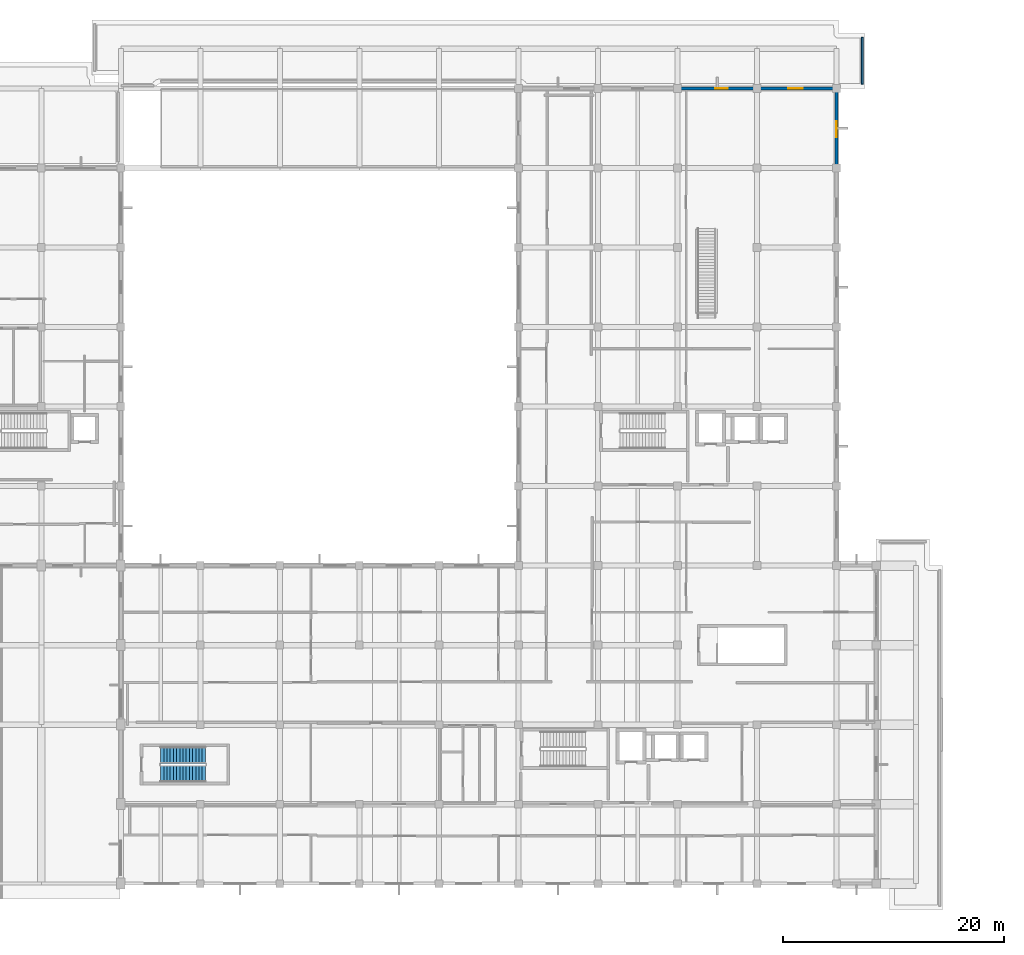
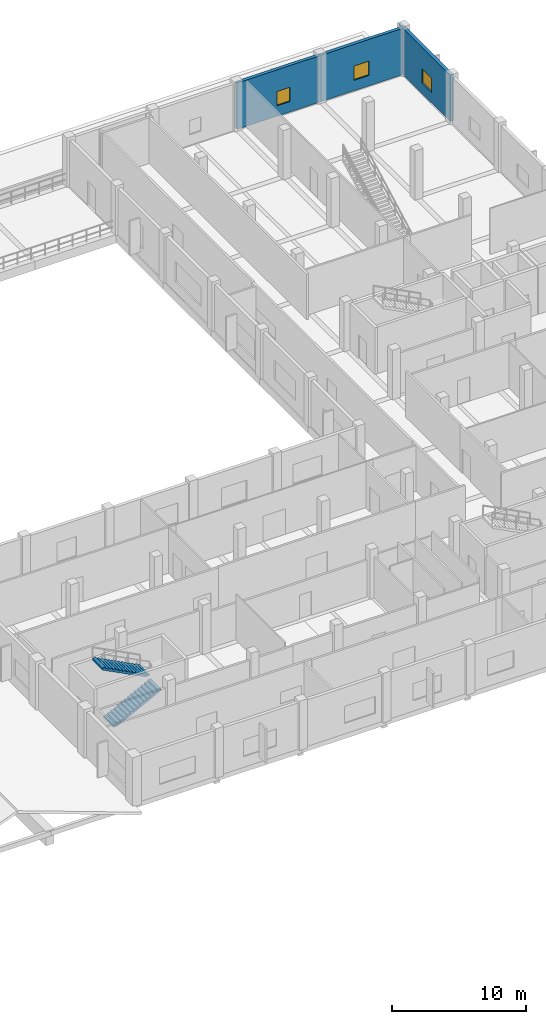
# One storey, part 17 of 24: 4 walls, 3 windows, 2 stair flights, 3 openings, 1 element without a shape of its own.
"""IFC4 building model written with IfcOpenShell, lengths in metres."""

from ifc_helpers import new_model, si_unit, direction, frame, frame_2d, origin, place, context, subcontext, project, spatial, polyline, rectangle, outline, extrude, material, layer, layer_set, type_object, element, fill, aggregate, save


model = new_model("IFC4")

# Units and contexts
model_context = context("Model", 3, precision=1e-05, world=origin(), true_north=direction((0.0, 1.0)))
body_context = subcontext(model_context, "Body", "Model", "MODEL_VIEW")
ifc_project = project(units=[si_unit("LENGTHUNIT", "METRE"), si_unit("AREAUNIT", "SQUARE_METRE"), si_unit("VOLUMEUNIT", "CUBIC_METRE"), si_unit("PLANEANGLEUNIT", "RADIAN"), si_unit("MASSUNIT", "GRAM", prefix="KILO")], contexts=[model_context])

# Site, building, storey
site_placement = place(None, origin())
site = spatial("IfcSite", under=ifc_project, at=site_placement, CompositionType="ELEMENT")
building_placement = place(site_placement, origin())
building = spatial("IfcBuilding", under=site, at=building_placement, Name="Seraya Terrace Polytechnic", CompositionType="ELEMENT")
storey_placement = place(building_placement, frame((0.0, 0.0, 18.89990234375)))
storey = spatial("IfcBuildingStorey", under=building, at=storey_placement, Name="L04", CompositionType="ELEMENT", Elevation=18.89990234375)

# Wall, opening, window
ifc_material_1 = material(Name="Precast concrete C40/50", Category="concrete")
ifc_layer_1 = layer(ifc_material_1, 0.280029296875, Name="EW-02")
ifc_layer_set_1 = layer_set([ifc_layer_1], Name="Precast concrete C40/50")
wall_type_1 = type_object("IfcWallType", Name="EW-02", PredefinedType="SOLIDWALL", material=ifc_layer_set_1)
wall_1_placement = place(storey_placement, frame((93.60009765625, 72.0, 0.0), z_axis=(0.0, 0.0, 1.0), x_axis=(1.0, 0.0, 0.0)))
wall_1 = element("IfcWall", 1, at=wall_1_placement, inside=storey, type_object=wall_type_1, Name="Exterior structural wall EW-02 L04", PredefinedType="SOLIDWALL", context=body_context, shape_type="SweptSolid", body=[
    extrude(rectangle(XDim=7.199951171875, YDim=0.280029296875, at=frame_2d((3.60009765625, 0.0))), origin(), (0.0, 0.0, 1.0), 4.22021484375),
])
opening_1_placement = place(wall_1_placement, frame((3.409912109375, 0.0, 0.949951171875)))
opening_1 = element("IfcOpeningElement", 2, at=opening_1_placement, cuts=wall_1, Name="Opening WN-02", PredefinedType="OPENING", context=body_context, shape_type="SweptSolid", body=[
    extrude(rectangle(XDim=1.14990234375, YDim=1.300048828125, at=frame_2d((0.574951171875, 0.64990234375))), frame((0.0, 0.15185546875, 0.0), z_axis=(0.0, -1.0, 0.0), x_axis=(1.0, 0.0, 0.0)), (0.0, 0.0, 1.0), 0.303955078125),
])
ifc_material_2 = material(Name="Laminated solar-control Low-E double glazing", Category="glass")
window_type_1 = type_object("IfcWindowType", Name="WN-02", PartitioningType="SINGLE_PANEL", PredefinedType="WINDOW", material=ifc_material_2)
window_1_placement = place(opening_1_placement, origin())
window_1 = element("IfcWindow", 3, at=window_1_placement, inside=storey, type_object=window_type_1, Name="Exterior window WN-02 L04", OverallHeight=1.300048828125, OverallWidth=1.14990234375, PartitioningType="SINGLE_PANEL", PredefinedType="WINDOW", context=body_context, shape_type="SweptSolid", body=[
    extrude(rectangle(XDim=1.14990234375, YDim=1.300048828125, at=frame_2d((0.574951171875, 0.64990234375))), frame((0.0, 0.030029296875, 0.0), z_axis=(0.0, -1.0, 0.0), x_axis=(1.0, 0.0, 0.0)), (0.0, 0.0, 1.0), 0.06005859375),
])
fill(opening_1, window_1)

wall_2_placement = place(storey_placement, frame((100.800048828125, 72.0, 0.0), z_axis=(0.0, 0.0, 1.0), x_axis=(1.0, 0.0, 0.0)))
wall_2 = element("IfcWall", 4, at=wall_2_placement, inside=storey, type_object=wall_type_1, Name="Exterior structural wall EW-02 L04", PredefinedType="SOLIDWALL", context=body_context, shape_type="SweptSolid", body=[
    extrude(rectangle(XDim=7.349853515625, YDim=0.280029296875, at=frame_2d((3.6748046875, 0.0))), origin(), (0.0, 0.0, 1.0), 4.22021484375),
])
opening_2_placement = place(wall_2_placement, frame((2.85009765625, 0.0, 0.949951171875)))
opening_2 = element("IfcOpeningElement", 5, at=opening_2_placement, cuts=wall_2, Name="Opening WN-03", PredefinedType="OPENING", context=body_context, shape_type="SweptSolid", body=[
    extrude(rectangle(XDim=1.300048828125, YDim=1.300048828125, at=frame_2d((0.64990234375, 0.64990234375))), frame((0.0, 0.15185546875, 0.0), z_axis=(0.0, -1.0, 0.0), x_axis=(1.0, 0.0, 0.0)), (0.0, 0.0, 1.0), 0.303955078125),
])
window_type_2 = type_object("IfcWindowType", Name="WN-03", PartitioningType="SINGLE_PANEL", PredefinedType="WINDOW", material=ifc_material_2)
window_2_placement = place(opening_2_placement, origin())
window_2 = element("IfcWindow", 6, at=window_2_placement, inside=storey, type_object=window_type_2, Name="Exterior window WN-03 L04", OverallHeight=1.300048828125, OverallWidth=1.300048828125, PartitioningType="SINGLE_PANEL", PredefinedType="WINDOW", context=body_context, shape_type="SweptSolid", body=[
    extrude(rectangle(XDim=1.300048828125, YDim=1.300048828125, at=frame_2d((0.64990234375, 0.64990234375))), frame((0.0, 0.030029296875, 0.0), z_axis=(0.0, -1.0, 0.0), x_axis=(1.0, 0.0, 0.0)), (0.0, 0.0, 1.0), 0.06005859375),
])
fill(opening_2, window_2)

wall_3_placement = place(storey_placement, frame((108.0, 71.847900390625, 0.0), z_axis=(0.0, 0.0, 1.0), x_axis=(0.0, -1.0, 0.0)))
wall_3 = element("IfcWall", 7, at=wall_3_placement, inside=storey, type_object=wall_type_1, Name="Exterior structural wall EW-02 L04", PredefinedType="SOLIDWALL", context=body_context, shape_type="SweptSolid", body=[
    extrude(rectangle(XDim=7.0478515625, YDim=0.280029296875, at=frame_2d((3.52392578125, 0.0))), origin(), (0.0, 0.0, 1.0), 4.22021484375),
])
opening_3_placement = place(wall_3_placement, frame((2.799072265625, 0.0, 0.949951171875)))
opening_3 = element("IfcOpeningElement", 8, at=opening_3_placement, cuts=wall_3, Name="Opening WN-04", PredefinedType="OPENING", context=body_context, shape_type="SweptSolid", body=[
    extrude(rectangle(XDim=1.449951171875, YDim=1.300048828125, at=frame_2d((0.72509765625, 0.64990234375))), frame((0.0, 0.15185546875, 0.0), z_axis=(0.0, -1.0, 0.0), x_axis=(1.0, 0.0, 0.0)), (0.0, 0.0, 1.0), 0.303955078125),
])
window_type_3 = type_object("IfcWindowType", Name="WN-04", PartitioningType="SINGLE_PANEL", PredefinedType="WINDOW", material=ifc_material_2)
window_3_placement = place(opening_3_placement, origin())
window_3 = element("IfcWindow", 9, at=window_3_placement, inside=storey, type_object=window_type_3, Name="Exterior window WN-04 L04", OverallHeight=1.300048828125, OverallWidth=1.449951171875, PartitioningType="SINGLE_PANEL", PredefinedType="WINDOW", context=body_context, shape_type="SweptSolid", body=[
    extrude(rectangle(XDim=1.449951171875, YDim=1.300048828125, at=frame_2d((0.72509765625, 0.64990234375))), frame((0.0, 0.030029296875, 0.0), z_axis=(0.0, -1.0, 0.0), x_axis=(1.0, 0.0, 0.0)), (0.0, 0.0, 1.0), 0.06005859375),
])
fill(opening_3, window_3)

# Wall
ifc_layer_2 = layer(ifc_material_1, 0.179931640625, Name="PW-P2")
ifc_layer_set_2 = layer_set([ifc_layer_2], Name="Precast concrete C40/50")
wall_type_2 = type_object("IfcWallType", Name="PW-P2", PredefinedType="PARAPET", material=ifc_layer_set_2)
wall_4_placement = place(storey_placement, frame((110.35009765625, 76.639892578125, 0.0), z_axis=(0.0, 0.0, 1.0), x_axis=(0.0, -1.0, 0.0)))
element("IfcWall", 10, at=wall_4_placement, inside=storey, type_object=wall_type_2, Name="Roof parapet ROOF-L04-NWRIM 13.1", PredefinedType="PARAPET", context=body_context, shape_type="SweptSolid", body=[
    extrude(rectangle(XDim=4.27978515625, YDim=0.179931640625, at=frame_2d((2.139892578125, 0.0))), origin(), (0.0, 0.0, 1.0), 0.9501953125),
])

# Stair, stair flights
ifc_material_3 = material(Name="Concrete C40/50", Category="concrete")
stair_type = type_object("IfcStairType", Name="ST-T2", PredefinedType="HALF_TURN_STAIR", material=ifc_material_3)
stair_placement = place(storey_placement, origin())
stair = element("IfcStair", 11, at=stair_placement, inside=storey, type_object=stair_type, Name="L04 Protected exit stair ST-03", PredefinedType="HALF_TURN_STAIR")
stair_flight_type = type_object("IfcStairFlightType", Name="SF-02", PredefinedType="STRAIGHT", material=ifc_material_3)
stair_flight_1_placement = place(storey_placement, frame((46.800048828125, 9.949951171875, 0.0), z_axis=(0.0, 0.0, 1.0), x_axis=(1.0, 0.0, 0.0)))
stair_flight_1 = element("IfcStairFlight", 12, at=stair_flight_1_placement, type_object=stair_flight_type, Name="ST-03 flight 1", NumberOfRisers=15, NumberOfTreads=14, PredefinedType="STRAIGHT", RiserHeight=0.15, TreadLength=0.29, context=body_context, shape_type="SweptSolid", body=[
    extrude(outline(polyline([(0.0, 0.0), (0.0, 0.14990234375), (0.2900390625, 0.14990234375), (0.2900390625, 0.300048828125), (0.580078125, 0.300048828125), (0.580078125, 0.449951171875), (0.8701171875, 0.449951171875), (0.8701171875, 0.60009765625), (1.159912109375, 0.60009765625), (1.159912109375, 0.75), (1.449951171875, 0.75), (1.449951171875, 0.89990234375), (1.739990234375, 0.89990234375), (1.739990234375, 1.050048828125), (2.030029296875, 1.050048828125), (2.030029296875, 1.199951171875), (2.320068359375, 1.199951171875), (2.320068359375, 1.35009765625), (2.610107421875, 1.35009765625), (2.610107421875, 1.5), (2.89990234375, 1.5), (2.89990234375, 1.64990234375), (3.18994140625, 1.64990234375), (3.18994140625, 1.800048828125), (3.47998046875, 1.800048828125), (3.47998046875, 1.949951171875), (3.77001953125, 1.949951171875), (3.77001953125, 2.10009765625), (4.06005859375, 2.10009765625), (4.06005859375, 2.25), (4.06005859375, 1.919921875), (0.34814453125, 0.0), (0.0, 0.0)])), frame((0.0, 0.75, 0.0), z_axis=(0.0, -1.0, 0.0), x_axis=(1.0, 0.0, 0.0)), (0.0, 0.0, 1.0), 1.5),
])
stair_flight_2_placement = place(storey_placement, frame((50.860107421875, 11.64990234375, 2.25), z_axis=(0.0, 0.0, 1.0), x_axis=(-1.0, 0.0, 0.0)))
stair_flight_2 = element("IfcStairFlight", 13, at=stair_flight_2_placement, type_object=stair_flight_type, Name="ST-03 flight 2", NumberOfRisers=15, NumberOfTreads=14, PredefinedType="STRAIGHT", RiserHeight=0.15, TreadLength=0.29, context=body_context, shape_type="SweptSolid", body=[
    extrude(outline(polyline([(0.0, 0.0), (0.0, 0.14990234375), (0.2900390625, 0.14990234375), (0.2900390625, 0.300048828125), (0.580078125, 0.300048828125), (0.580078125, 0.449951171875), (0.8701171875, 0.449951171875), (0.8701171875, 0.60009765625), (1.159912109375, 0.60009765625), (1.159912109375, 0.75), (1.449951171875, 0.75), (1.449951171875, 0.89990234375), (1.739990234375, 0.89990234375), (1.739990234375, 1.050048828125), (2.030029296875, 1.050048828125), (2.030029296875, 1.199951171875), (2.320068359375, 1.199951171875), (2.320068359375, 1.35009765625), (2.610107421875, 1.35009765625), (2.610107421875, 1.5), (2.89990234375, 1.5), (2.89990234375, 1.64990234375), (3.18994140625, 1.64990234375), (3.18994140625, 1.800048828125), (3.47998046875, 1.800048828125), (3.47998046875, 1.949951171875), (3.77001953125, 1.949951171875), (3.77001953125, 2.10009765625), (4.06005859375, 2.10009765625), (4.06005859375, 2.25), (4.06005859375, 1.919921875), (0.34814453125, 0.0), (0.0, 0.0)])), frame((0.0, 0.75, 0.0), z_axis=(0.0, -1.0, 0.0), x_axis=(1.0, 0.0, 0.0)), (0.0, 0.0, 1.0), 1.5),
])
aggregate(stair, [stair_flight_1, stair_flight_2])

save(model, "model.ifc")
